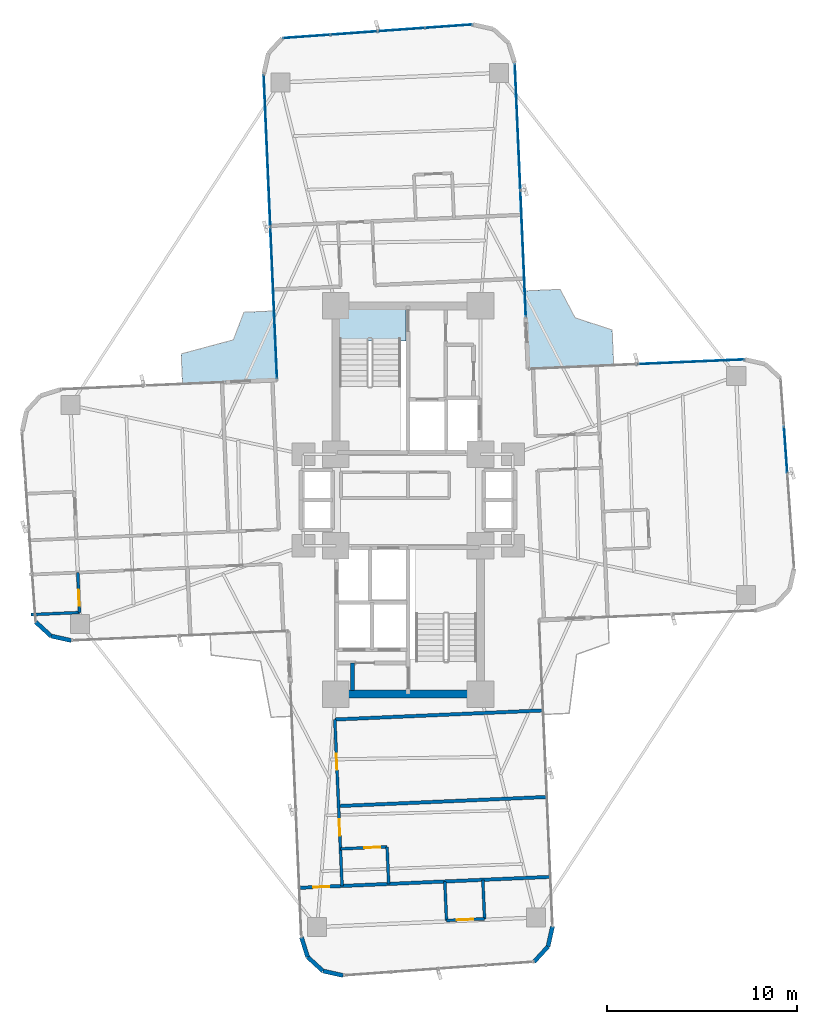
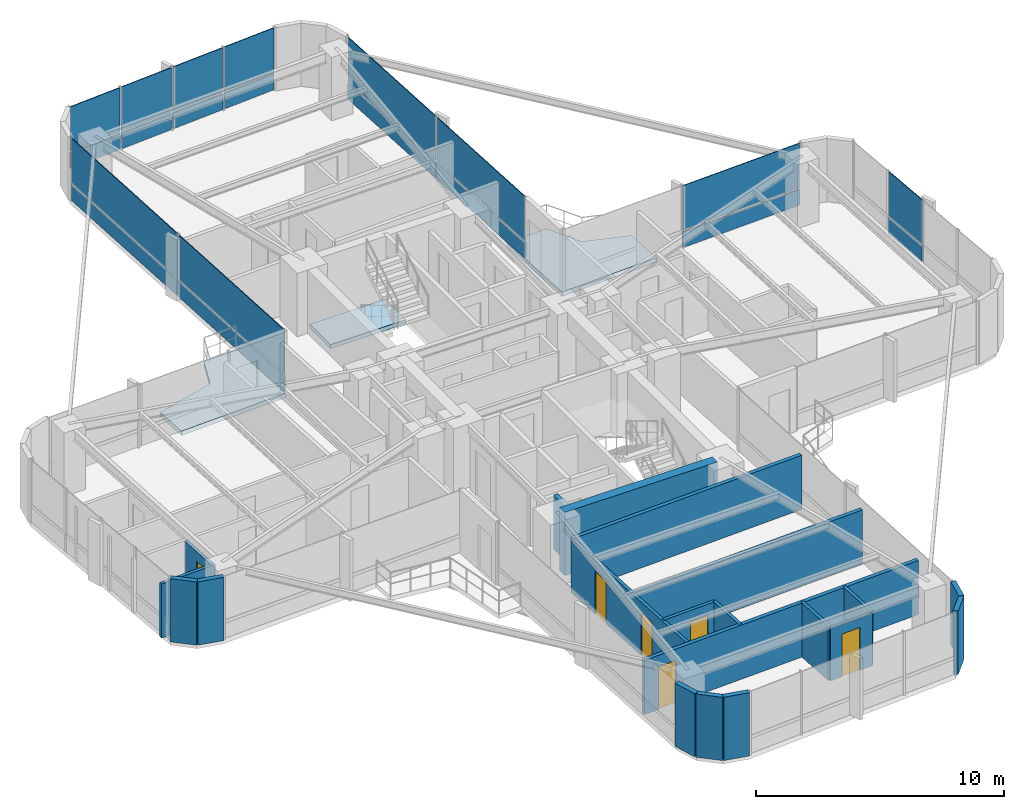
# One storey, part 22 of 26: 20 plates, 20 walls, 6 doors, 3 slabs, 6 openings, 5 elements without a shape of their own.
"""IFC4 building model written with IfcOpenShell, lengths in metres."""

from ifc_helpers import new_model, si_unit, direction, frame, frame_2d, origin, origin_2d, place, context, subcontext, project, spatial, polyline, rectangle, outline, extrude, source, transform, mapped, material, layer, layer_set, type_object, element, fill, aggregate, save


model = new_model("IFC4")

# Units and contexts
model_context = context("Model", 3, precision=1e-05, world=origin(), true_north=direction((0.0, 1.0)))
body_context = subcontext(model_context, "Body", "Model", "MODEL_VIEW")
ifc_project = project(units=[si_unit("LENGTHUNIT", "METRE"), si_unit("AREAUNIT", "SQUARE_METRE"), si_unit("VOLUMEUNIT", "CUBIC_METRE"), si_unit("PLANEANGLEUNIT", "RADIAN"), si_unit("MASSUNIT", "GRAM", prefix="KILO")], contexts=[model_context])

# Site, building, storey
site_placement = place(None, origin())
site = spatial("IfcSite", under=ifc_project, at=site_placement, CompositionType="ELEMENT")
building_placement = place(site_placement, origin())
building = spatial("IfcBuilding", under=site, at=building_placement, Name="Sahyath Konkavel Grand Hotel", CompositionType="ELEMENT")
storey_placement = place(building_placement, frame((0.0, 0.0, 86.85009765625)))
storey = spatial("IfcBuildingStorey", under=building, at=storey_placement, Name="L23", CompositionType="ELEMENT", Elevation=86.85009765625)

# Slabs
ifc_material_1 = material(Name="Concrete C40/50", Category="concrete")
ifc_layer_1 = layer(ifc_material_1, 0.219970703125)
ifc_layer_set_1 = layer_set([ifc_layer_1], Name="Concrete C40/50")
slab_type_1 = type_object("IfcSlabType", Name="SLB-BALCONY-220", PredefinedType="FLOOR", material=ifc_layer_set_1)
slab_1_placement = place(storey_placement, frame((0.0, 0.0, -0.22021484375)))
element("IfcSlab", 1, at=slab_1_placement, inside=storey, type_object=slab_type_1, Name="L23 Winter-Garden Balcony NE", PredefinedType="FLOOR", context=body_context, shape_type="SweptSolid", body=[
    extrude(outline(polyline([(6.305908203125, 6.881591796875), (10.796630859375, 7.07763671875), (10.715576171875, 8.93212890625), (8.768798828125, 9.569580078125), (7.981201171875, 11.063720703125), (6.126708984375, 10.982666015625), (6.305908203125, 6.881591796875)])), origin(), (0.0, 0.0, 1.0), 0.22021484375),
])
slab_2_placement = place(storey_placement, frame((0.0, 0.0, -0.22021484375)))
element("IfcSlab", 2, at=slab_2_placement, inside=storey, type_object=slab_type_1, Name="L23 Winter-Garden Balcony NW", PredefinedType="FLOOR", context=body_context, shape_type="SweptSolid", body=[
    extrude(outline(polyline([(-6.881591796875, 6.305908203125), (-7.039794921875, 9.930419921875), (-8.62451171875, 9.861083984375), (-9.1787109375, 8.41064453125), (-11.918212890625, 7.673583984375), (-11.848876953125, 6.089111328125), (-6.881591796875, 6.305908203125)])), origin(), (0.0, 0.0, 1.0), 0.22021484375),
])
ifc_layer_2 = layer(ifc_material_1, 0.199951171875)
ifc_layer_set_2 = layer_set([ifc_layer_2], Name="Concrete C40/50")
slab_type_2 = type_object("IfcSlabType", Name="SLB-STAIR-LND", PredefinedType="LANDING", material=ifc_layer_set_2)
slab_3_placement = place(storey_placement, frame((0.0, 0.0, -0.2001953125)))
element("IfcSlab", 3, at=slab_3_placement, inside=storey, type_object=slab_type_2, Name="L23 Stair ST-1 Floor Landing Slab", PredefinedType="LANDING", context=body_context, shape_type="SweptSolid", body=[
    extrude(outline(polyline([(-3.6201171875, 8.35009765625), (-0.10009765625, 8.35009765625), (-0.10009765625, 10.02001953125), (-3.6201171875, 10.02001953125), (-3.6201171875, 8.35009765625)])), origin(), (0.0, 0.0, 1.0), 0.2001953125),
])

# Curtain wall, plate
ifc_material_2 = material(Name="Anodised Bronze Aluminium & Low-E Glazing", Category="aluminium")
curtain_wall_type = type_object("IfcCurtainWallType", Name="CW-ZONE2", PredefinedType="NOTDEFINED", material=ifc_material_2)
curtain_wall_1_placement = place(storey_placement, origin())
curtain_wall_1 = element("IfcCurtainWall", 4, at=curtain_wall_1_placement, inside=storey, type_object=curtain_wall_type, Name="L23 Unitised Curtain Wall F4", PredefinedType="NOTDEFINED")
ifc_material_3 = material(Name="Warm Buff Sandstone Cladding", Category="masonry")
ifc_layer_3 = layer(ifc_material_3, 0.074951171875)
ifc_layer_set_3 = layer_set([ifc_layer_3], Name="Warm Buff Sandstone Cladding")
plate_type_1 = type_object("IfcPlateType", Name="PNL-SPANDREL-STONE", PredefinedType="SHEET", material=ifc_layer_set_3)
shared_shape_1 = source(origin(), body_context, "Body", "SweptSolid", [
    extrude(rectangle(XDim=2.41357421875, YDim=0.074951171875, at=origin_2d()), origin(), (0.0, 0.0, 1.0), 0.77001953125),
])
plate_1_placement = place(storey_placement, frame((19.828369140625, 2.638671875, 0.039794921875), z_axis=(0.0, 0.0, 1.0), x_axis=(-0.071567078661, 0.997435789037, 0.0)))
plate_1 = element("IfcPlate", 5, at=plate_1_placement, type_object=plate_type_1, Name="L23 Sandstone Relief Spandrel Panel F4-2", PredefinedType="SHEET", context=body_context, shape_type="MappedRepresentation", body=[
    mapped(shared_shape_1, transform((0.0, 0.0, 0.0), scale=1.0)),
])

# Curtain wall, plates
curtain_wall_2_placement = place(storey_placement, origin())
curtain_wall_2 = element("IfcCurtainWall", 6, at=curtain_wall_2_placement, inside=storey, type_object=curtain_wall_type, Name="L23 Unitised Curtain Wall F12", PredefinedType="NOTDEFINED")
plate_2_placement = place(storey_placement, frame((2.130615234375, 24.880615234375, 0.039794921875), z_axis=(0.0, 0.0, 1.0), x_axis=(-0.997435789037, -0.071567078661, 0.0)))
plate_2 = element("IfcPlate", 7, at=plate_2_placement, type_object=plate_type_1, Name="L23 Sandstone Relief Spandrel Panel F12-0", PredefinedType="SHEET", context=body_context, shape_type="MappedRepresentation", body=[
    mapped(shared_shape_1, transform((0.0, 0.0, 0.0), scale=1.0)),
])
plate_3_placement = place(storey_placement, frame((-0.356689453125, 24.7021484375, 0.039794921875), z_axis=(0.0, 0.0, 1.0), x_axis=(-0.997435789037, -0.071567078661, 0.0)))
plate_3 = element("IfcPlate", 8, at=plate_3_placement, type_object=plate_type_1, Name="L23 Sandstone Relief Spandrel Panel F12-1", PredefinedType="SHEET", context=body_context, shape_type="MappedRepresentation", body=[
    mapped(shared_shape_1, transform((0.0, 0.0, 0.0), scale=1.0)),
])
plate_4_placement = place(storey_placement, frame((-2.84375, 24.523681640625, 0.039794921875), z_axis=(0.0, 0.0, 1.0), x_axis=(-0.997435789037, -0.071567078661, 0.0)))
plate_4 = element("IfcPlate", 9, at=plate_4_placement, type_object=plate_type_1, Name="L23 Sandstone Relief Spandrel Panel F12-2", PredefinedType="SHEET", context=body_context, shape_type="MappedRepresentation", body=[
    mapped(shared_shape_1, transform((0.0, 0.0, 0.0), scale=1.0)),
])
plate_5_placement = place(storey_placement, frame((-5.330810546875, 24.34521484375, 0.039794921875), z_axis=(0.0, 0.0, 1.0), x_axis=(-0.997435789037, -0.071567078661, 0.0)))
plate_5 = element("IfcPlate", 10, at=plate_5_placement, type_object=plate_type_1, Name="L23 Sandstone Relief Spandrel Panel F12-3", PredefinedType="SHEET", context=body_context, shape_type="MappedRepresentation", body=[
    mapped(shared_shape_1, transform((0.0, 0.0, 0.0), scale=1.0)),
])

# Curtain wall, plate
curtain_wall_3_placement = place(storey_placement, origin())
curtain_wall_3 = element("IfcCurtainWall", 11, at=curtain_wall_3_placement, inside=storey, type_object=curtain_wall_type, Name="L23 Unitised Curtain Wall F7", PredefinedType="NOTDEFINED")
shared_shape_2 = source(origin(), body_context, "Body", "SweptSolid", [
    extrude(rectangle(XDim=5.580078125, YDim=0.074951171875, at=origin_2d()), origin(), (0.0, 0.0, 1.0), 0.77001953125),
])
plate_6_placement = place(storey_placement, frame((14.82763671875, 7.25390625, 0.039794921875), z_axis=(0.0, 0.0, 1.0), x_axis=(-0.999048221582, -0.043619387365, 0.0)))
plate_6 = element("IfcPlate", 12, at=plate_6_placement, type_object=plate_type_1, Name="L23 Sandstone Relief Spandrel Panel F7-0", PredefinedType="SHEET", context=body_context, shape_type="MappedRepresentation", body=[
    mapped(shared_shape_2, transform((0.0, 0.0, 0.0), scale=1.0)),
])

# Curtain wall, plates
curtain_wall_4_placement = place(storey_placement, origin())
curtain_wall_4 = element("IfcCurtainWall", 13, at=curtain_wall_4_placement, inside=storey, type_object=curtain_wall_type, Name="L23 Unitised Curtain Wall F8", PredefinedType="NOTDEFINED")
shared_shape_3 = source(origin(), body_context, "Body", "SweptSolid", [
    extrude(rectangle(XDim=6.580078125, YDim=0.074951171875, at=origin_2d()), origin(), (0.0, 0.0, 1.0), 0.77001953125),
])
plate_7_placement = place(storey_placement, frame((6.041015625, 12.94580078125, 0.039794921875), z_axis=(0.0, 0.0, 1.0), x_axis=(-0.043619387365, 0.999048221582, 0.0)))
plate_7 = element("IfcPlate", 14, at=plate_7_placement, type_object=plate_type_1, Name="L23 Sandstone Relief Spandrel Panel F8-0", PredefinedType="SHEET", context=body_context, shape_type="MappedRepresentation", body=[
    mapped(shared_shape_3, transform((0.0, 0.0, 0.0), scale=1.0)),
])
plate_8_placement = place(storey_placement, frame((5.75048828125, 19.599609375, 0.039794921875), z_axis=(0.0, 0.0, 1.0), x_axis=(-0.043619387365, 0.999048221582, 0.0)))
plate_8 = element("IfcPlate", 15, at=plate_8_placement, type_object=plate_type_1, Name="L23 Sandstone Relief Spandrel Panel F8-1", PredefinedType="SHEET", context=body_context, shape_type="MappedRepresentation", body=[
    mapped(shared_shape_3, transform((0.0, 0.0, 0.0), scale=1.0)),
])

curtain_wall_5_placement = place(storey_placement, origin())
curtain_wall_5 = element("IfcCurtainWall", 16, at=curtain_wall_5_placement, inside=storey, type_object=curtain_wall_type, Name="L23 Unitised Curtain Wall F15", PredefinedType="NOTDEFINED")
shared_shape_4 = source(origin(), body_context, "Body", "SweptSolid", [
    extrude(rectangle(XDim=7.929931640625, YDim=0.074951171875, at=origin_2d()), origin(), (0.0, 0.0, 1.0), 0.77001953125),
])
plate_9_placement = place(storey_placement, frame((-7.407470703125, 18.349365234375, 0.039794921875), z_axis=(0.0, 0.0, 1.0), x_axis=(0.043619387365, -0.999048221582, 0.0)))
plate_9 = element("IfcPlate", 17, at=plate_9_placement, type_object=plate_type_1, Name="L23 Sandstone Relief Spandrel Panel F15-0", PredefinedType="SHEET", context=body_context, shape_type="MappedRepresentation", body=[
    mapped(shared_shape_4, transform((0.0, 0.0, 0.0), scale=1.0)),
])
plate_10_placement = place(storey_placement, frame((-7.05810546875, 10.346923828125, 0.039794921875), z_axis=(0.0, 0.0, 1.0), x_axis=(0.043619387365, -0.999048221582, 0.0)))
plate_10 = element("IfcPlate", 18, at=plate_10_placement, type_object=plate_type_1, Name="L23 Sandstone Relief Spandrel Panel F15-1", PredefinedType="SHEET", context=body_context, shape_type="MappedRepresentation", body=[
    mapped(shared_shape_4, transform((0.0, 0.0, 0.0), scale=1.0)),
])

# Plate
ifc_material_4 = material(Name="Low-E Solar Control Double Glazing", Category="glass")
ifc_layer_4 = layer(ifc_material_4, 0.035888671875)
ifc_layer_set_4 = layer_set([ifc_layer_4], Name="Low-E Solar Control Double Glazing")
plate_type_2 = type_object("IfcPlateType", Name="PNL-VISION-LOWE", PredefinedType="CURTAIN_PANEL", material=ifc_layer_set_4)
shared_shape_5 = source(origin(), body_context, "Body", "SweptSolid", [
    extrude(rectangle(XDim=2.41357421875, YDim=0.035888671875, at=origin_2d()), origin(), (0.0, 0.0, 1.0), 2.179931640625),
])
plate_11_placement = place(storey_placement, frame((19.828369140625, 2.638671875, 0.89013671875), z_axis=(0.0, 0.0, 1.0), x_axis=(-0.071567078661, 0.997435789037, 0.0)))
plate_11 = element("IfcPlate", 19, at=plate_11_placement, type_object=plate_type_2, Name="L23 Low-E Vision Glazing Panel F4-2", PredefinedType="CURTAIN_PANEL", context=body_context, shape_type="MappedRepresentation", body=[
    mapped(shared_shape_5, transform((0.0, 0.0, 0.0), scale=1.0)),
])

aggregate(curtain_wall_1, [plate_1, plate_11])

plate_12_placement = place(storey_placement, frame((2.130615234375, 24.880615234375, 0.89013671875), z_axis=(0.0, 0.0, 1.0), x_axis=(-0.997435789037, -0.071567078661, 0.0)))
plate_12 = element("IfcPlate", 20, at=plate_12_placement, type_object=plate_type_2, Name="L23 Low-E Vision Glazing Panel F12-0", PredefinedType="CURTAIN_PANEL", context=body_context, shape_type="MappedRepresentation", body=[
    mapped(shared_shape_5, transform((0.0, 0.0, 0.0), scale=1.0)),
])

plate_13_placement = place(storey_placement, frame((-0.356689453125, 24.7021484375, 0.89013671875), z_axis=(0.0, 0.0, 1.0), x_axis=(-0.997435789037, -0.071567078661, 0.0)))
plate_13 = element("IfcPlate", 21, at=plate_13_placement, type_object=plate_type_2, Name="L23 Low-E Vision Glazing Panel F12-1", PredefinedType="CURTAIN_PANEL", context=body_context, shape_type="MappedRepresentation", body=[
    mapped(shared_shape_5, transform((0.0, 0.0, 0.0), scale=1.0)),
])

plate_14_placement = place(storey_placement, frame((-2.84375, 24.523681640625, 0.89013671875), z_axis=(0.0, 0.0, 1.0), x_axis=(-0.997435789037, -0.071567078661, 0.0)))
plate_14 = element("IfcPlate", 22, at=plate_14_placement, type_object=plate_type_2, Name="L23 Low-E Vision Glazing Panel F12-2", PredefinedType="CURTAIN_PANEL", context=body_context, shape_type="MappedRepresentation", body=[
    mapped(shared_shape_5, transform((0.0, 0.0, 0.0), scale=1.0)),
])

plate_15_placement = place(storey_placement, frame((-5.330810546875, 24.34521484375, 0.89013671875), z_axis=(0.0, 0.0, 1.0), x_axis=(-0.997435789037, -0.071567078661, 0.0)))
plate_15 = element("IfcPlate", 23, at=plate_15_placement, type_object=plate_type_2, Name="L23 Low-E Vision Glazing Panel F12-3", PredefinedType="CURTAIN_PANEL", context=body_context, shape_type="MappedRepresentation", body=[
    mapped(shared_shape_5, transform((0.0, 0.0, 0.0), scale=1.0)),
])

aggregate(curtain_wall_2, [plate_2, plate_12, plate_3, plate_13, plate_4, plate_14, plate_5, plate_15])

shared_shape_6 = source(origin(), body_context, "Body", "SweptSolid", [
    extrude(rectangle(XDim=5.580078125, YDim=0.035888671875, at=origin_2d()), origin(), (0.0, 0.0, 1.0), 2.179931640625),
])
plate_16_placement = place(storey_placement, frame((14.82763671875, 7.25390625, 0.89013671875), z_axis=(0.0, 0.0, 1.0), x_axis=(-0.999048221582, -0.043619387365, 0.0)))
plate_16 = element("IfcPlate", 24, at=plate_16_placement, type_object=plate_type_2, Name="L23 Low-E Vision Glazing Panel F7-0", PredefinedType="CURTAIN_PANEL", context=body_context, shape_type="MappedRepresentation", body=[
    mapped(shared_shape_6, transform((0.0, 0.0, 0.0), scale=1.0)),
])

aggregate(curtain_wall_3, [plate_6, plate_16])

shared_shape_7 = source(origin(), body_context, "Body", "SweptSolid", [
    extrude(rectangle(XDim=6.580078125, YDim=0.035888671875, at=origin_2d()), origin(), (0.0, 0.0, 1.0), 2.179931640625),
])
plate_17_placement = place(storey_placement, frame((6.041015625, 12.94580078125, 0.89013671875), z_axis=(0.0, 0.0, 1.0), x_axis=(-0.043619387365, 0.999048221582, 0.0)))
plate_17 = element("IfcPlate", 25, at=plate_17_placement, type_object=plate_type_2, Name="L23 Low-E Vision Glazing Panel F8-0", PredefinedType="CURTAIN_PANEL", context=body_context, shape_type="MappedRepresentation", body=[
    mapped(shared_shape_7, transform((0.0, 0.0, 0.0), scale=1.0)),
])

plate_18_placement = place(storey_placement, frame((5.75048828125, 19.599609375, 0.89013671875), z_axis=(0.0, 0.0, 1.0), x_axis=(-0.043619387365, 0.999048221582, 0.0)))
plate_18 = element("IfcPlate", 26, at=plate_18_placement, type_object=plate_type_2, Name="L23 Low-E Vision Glazing Panel F8-1", PredefinedType="CURTAIN_PANEL", context=body_context, shape_type="MappedRepresentation", body=[
    mapped(shared_shape_7, transform((0.0, 0.0, 0.0), scale=1.0)),
])

aggregate(curtain_wall_4, [plate_7, plate_17, plate_8, plate_18])

shared_shape_8 = source(origin(), body_context, "Body", "SweptSolid", [
    extrude(rectangle(XDim=7.929931640625, YDim=0.035888671875, at=origin_2d()), origin(), (0.0, 0.0, 1.0), 2.179931640625),
])
plate_19_placement = place(storey_placement, frame((-7.407470703125, 18.349365234375, 0.89013671875), z_axis=(0.0, 0.0, 1.0), x_axis=(0.043619387365, -0.999048221582, 0.0)))
plate_19 = element("IfcPlate", 27, at=plate_19_placement, type_object=plate_type_2, Name="L23 Low-E Vision Glazing Panel F15-0", PredefinedType="CURTAIN_PANEL", context=body_context, shape_type="MappedRepresentation", body=[
    mapped(shared_shape_8, transform((0.0, 0.0, 0.0), scale=1.0)),
])

plate_20_placement = place(storey_placement, frame((-7.05810546875, 10.346923828125, 0.89013671875), z_axis=(0.0, 0.0, 1.0), x_axis=(0.043619387365, -0.999048221582, 0.0)))
plate_20 = element("IfcPlate", 28, at=plate_20_placement, type_object=plate_type_2, Name="L23 Low-E Vision Glazing Panel F15-1", PredefinedType="CURTAIN_PANEL", context=body_context, shape_type="MappedRepresentation", body=[
    mapped(shared_shape_8, transform((0.0, 0.0, 0.0), scale=1.0)),
])

aggregate(curtain_wall_5, [plate_9, plate_19, plate_10, plate_20])

# Walls
ifc_material_5 = material(Name="Concrete C50/60", Category="concrete")
ifc_layer_5 = layer(ifc_material_5, 0.419921875)
ifc_layer_set_5 = layer_set([ifc_layer_5], Name="Concrete C50/60")
wall_type_1 = type_object("IfcWallType", Name="CWALL-420", PredefinedType="SHEAR", material=ifc_layer_set_5)
wall_1_placement = place(storey_placement, frame((-3.550048828125, -10.199951171875, 0.0), z_axis=(0.0, 0.0, 1.0), x_axis=(1.0, 0.0, 0.0)))
element("IfcWall", 29, at=wall_1_placement, inside=storey, type_object=wall_type_1, Name="L23 South Core Shear Wall S", PredefinedType="SHEAR", context=body_context, shape_type="SweptSolid", body=[
    extrude(rectangle(XDim=7.10009765625, YDim=0.419921875, at=frame_2d((3.550048828125, 0.0))), origin(), (0.0, 0.0, 1.0), 3.10986328125),
])
ifc_material_6 = material(Name="Warm Buff Sandstone Insulated Concrete C40/50", Category="masonry")
ifc_layer_6 = layer(ifc_material_6, 0.219970703125)
ifc_layer_set_6 = layer_set([ifc_layer_6], Name="Warm Buff Sandstone Insulated Concrete C40/50")
wall_type_2 = type_object("IfcWallType", Name="WLL-BALC-THRESH", PredefinedType="STANDARD", material=ifc_layer_set_6)
wall_2_placement = place(storey_placement, frame((-19.5576171875, -6.4091796875, 0.0), z_axis=(0.0, 0.0, 1.0), x_axis=(0.737210081318, -0.675663596772, 0.0)))
element("IfcWall", 30, at=wall_2_placement, inside=storey, type_object=wall_type_2, Name="L23 Rounded Corner Sandstone Pier 21", PredefinedType="STANDARD", context=body_context, shape_type="SweptSolid", body=[
    extrude(rectangle(XDim=1.0869140625, YDim=0.219970703125, at=frame_2d((0.54345703125, 0.0))), origin(), (0.0, 0.0, 1.0), 3.10986328125),
])
wall_3_placement = place(storey_placement, frame((-18.75634765625, -7.1435546875, 0.0), z_axis=(0.0, 0.0, 1.0), x_axis=(0.976282085775, -0.216502399514, 0.0)))
element("IfcWall", 31, at=wall_3_placement, inside=storey, type_object=wall_type_2, Name="L23 Rounded Corner Sandstone Pier 22", PredefinedType="STANDARD", context=body_context, shape_type="SweptSolid", body=[
    extrude(rectangle(XDim=1.087158203125, YDim=0.219970703125, at=frame_2d((0.54345703125, 0.0))), origin(), (0.0, 0.0, 1.0), 3.10986328125),
])
wall_4_placement = place(storey_placement, frame((-5.603515625, -22.96630859375, 0.0), z_axis=(0.0, 0.0, 1.0), x_axis=(0.300755105707, -0.953701403161, 0.0)))
element("IfcWall", 32, at=wall_4_placement, inside=storey, type_object=wall_type_2, Name="L23 Rounded Corner Sandstone Pier 25", PredefinedType="STANDARD", context=body_context, shape_type="SweptSolid", body=[
    extrude(rectangle(XDim=1.0869140625, YDim=0.219970703125, at=frame_2d((0.54345703125, 0.0))), origin(), (0.0, 0.0, 1.0), 3.10986328125),
])
wall_5_placement = place(storey_placement, frame((-5.276611328125, -24.0029296875, 0.0), z_axis=(0.0, 0.0, 1.0), x_axis=(0.737312600672, -0.675551721847, 0.0)))
element("IfcWall", 33, at=wall_5_placement, inside=storey, type_object=wall_type_2, Name="L23 Rounded Corner Sandstone Pier 26", PredefinedType="STANDARD", context=body_context, shape_type="SweptSolid", body=[
    extrude(rectangle(XDim=1.087158203125, YDim=0.219970703125, at=frame_2d((0.54345703125, 0.0))), origin(), (0.0, 0.0, 1.0), 3.10986328125),
])
for number, where, z_axis, x_axis, name in (
    (34, (-4.47509765625, -24.7373046875, 0.0), (0.0, 0.0, 1.0), (0.976271555154, -0.216549880158, 0.0), "L23 Rounded Corner Sandstone Pier 27"),
    (35, (6.6142578125, -24.253173828125, 0.0), (0.0, 0.0, 1.0), (0.675663596772, 0.737210081318, 0.0), "L23 Rounded Corner Sandstone Pier 29"),
):
    element("IfcWall", number, at=place(storey_placement, frame(where, z_axis=z_axis, x_axis=x_axis)), inside=storey, type_object=wall_type_2, Name=name, PredefinedType="STANDARD", context=body_context, shape_type="SweptSolid", body=[
        extrude(rectangle(XDim=1.0869140625, YDim=0.219970703125, at=frame_2d((0.54345703125, 0.0))), origin(), (0.0, 0.0, 1.0), 3.10986328125),
    ])
wall_6_placement = place(storey_placement, frame((7.3486328125, -23.451904296875, 0.0), z_axis=(0.0, 0.0, 1.0), x_axis=(0.216454939174, 0.976292609471, 0.0)))
element("IfcWall", 36, at=wall_6_placement, inside=storey, type_object=wall_type_2, Name="L23 Rounded Corner Sandstone Pier 30", PredefinedType="STANDARD", context=body_context, shape_type="SweptSolid", body=[
    extrude(rectangle(XDim=1.08740234375, YDim=0.219970703125, at=frame_2d((0.543701171875, 0.0))), origin(), (0.0, 0.0, 1.0), 3.10986328125),
])
ifc_layer_7 = layer(ifc_material_1, 0.199951171875)
ifc_layer_set_7 = layer_set([ifc_layer_7], Name="Concrete C40/50")
wall_type_3 = type_object("IfcWallType", Name="WLL-CORE-200", PredefinedType="SOLIDWALL", material=ifc_layer_set_7)
wall_7_placement = place(storey_placement, frame((-2.919921875, -10.0, 0.0), z_axis=(0.0, 0.0, 1.0), x_axis=(0.0, 1.0, 0.0)))
element("IfcWall", 37, at=wall_7_placement, inside=storey, type_object=wall_type_3, Name="L23 Partition SFF-W2", PredefinedType="SOLIDWALL", context=body_context, shape_type="SweptSolid", body=[
    extrude(rectangle(XDim=1.43994140625, YDim=0.199951171875, at=frame_2d((0.719970703125, 0.0))), origin(), (0.0, 0.0, 1.0), 2.659912109375),
])
ifc_material_7 = material(Name="Twin-Stud Acoustic Gypsum Plasterboard Partition")
ifc_layer_8 = layer(ifc_material_7, 0.179931640625)
ifc_layer_set_8 = layer_set([ifc_layer_8], Name="Twin-Stud Acoustic Gypsum Plasterboard Partition")
wall_type_4 = type_object("IfcWallType", Name="WLL-DEMISE-180", PredefinedType="PARTITIONING", material=ifc_layer_set_8)
wall_8_placement = place(storey_placement, frame((-3.850830078125, -11.52880859375, 0.0), z_axis=(0.0, 0.0, 1.0), x_axis=(0.999048663393, 0.043609267053, 0.0)))
element("IfcWall", 38, at=wall_8_placement, inside=storey, type_object=wall_type_4, Name="L23 Partition S-G6I", PredefinedType="PARTITIONING", context=body_context, shape_type="SweptSolid", body=[
    extrude(rectangle(XDim=10.89990234375, YDim=0.179931640625, at=frame_2d((5.449951171875, 0.0))), origin(), (0.0, 0.0, 1.0), 2.659912109375),
])
wall_9_placement = place(storey_placement, frame((-3.65234375, -16.07470703125, 0.0), z_axis=(0.0, 0.0, 1.0), x_axis=(0.999047687305, 0.043631622609, 0.0)))
element("IfcWall", 39, at=wall_9_placement, inside=storey, type_object=wall_type_4, Name="L23 Partition S-SSL6-DEM", PredefinedType="PARTITIONING", context=body_context, shape_type="SweptSolid", body=[
    extrude(rectangle(XDim=10.900146484375, YDim=0.179931640625, at=frame_2d((5.4501953125, 0.0))), origin(), (0.0, 0.0, 1.0), 2.659912109375),
])

# Wall, opening, door
wall_10_placement = place(storey_placement, frame((-5.6669921875, -20.36669921875, 0.0), z_axis=(0.0, 0.0, 1.0), x_axis=(0.999047806124, 0.043628901879, 0.0)))
wall_10 = element("IfcWall", 40, at=wall_10_placement, inside=storey, type_object=wall_type_4, Name="L23 Partition S-STIP-END", PredefinedType="PARTITIONING", context=body_context, shape_type="SweptSolid", body=[
    extrude(rectangle(XDim=13.099853515625, YDim=0.179931640625, at=frame_2d((6.5498046875, 0.0))), origin(), (0.0, 0.0, 1.0), 2.659912109375),
])
opening_1_placement = place(wall_10_placement, frame((0.675048828125, 0.0, 0.0)))
opening_1 = element("IfcOpeningElement", 41, at=opening_1_placement, cuts=wall_10, Name="Opening D-F06D", PredefinedType="OPENING", context=body_context, shape_type="SweptSolid", body=[
    extrude(rectangle(XDim=0.85009765625, YDim=2.10009765625, at=frame_2d((0.425048828125, 1.050048828125))), frame((0.0, 0.10009765625, 0.0), z_axis=(0.0, -1.0, 0.0), x_axis=(1.0, 0.0, 0.0)), (0.0, 0.0, 1.0), 0.199951171875),
])
ifc_material_8 = material(Name="Fire-Rated Shaft Access Door")
door_type_1 = type_object("IfcDoorType", Name="DR-FD60-850", OperationType="NOTDEFINED", PredefinedType="DOOR", material=ifc_material_8)
shared_shape_9 = source(origin(), body_context, "Body", "SweptSolid", [
    extrude(rectangle(XDim=0.85009765625, YDim=0.050048828125, at=origin_2d()), origin(), (0.0, 0.0, 1.0), 2.10009765625),
])
door_1_placement = place(opening_1_placement, frame((0.425048828125, 0.0, 0.0)))
door_1 = element("IfcDoor", 42, at=door_1_placement, inside=storey, type_object=door_type_1, Name="L23 Door S-STIP-ED", OperationType="SINGLE_SWING_LEFT", OverallHeight=2.10009765625, OverallWidth=0.85009765625, PredefinedType="DOOR", context=body_context, shape_type="MappedRepresentation", body=[
    mapped(shared_shape_9, transform((0.0, 0.0, 0.0), scale=1.0)),
])
fill(opening_1, door_1)

ifc_material_9 = material(Name="Fire-Rated Gypsum Plasterboard Partition")
ifc_layer_9 = layer(ifc_material_9, 0.14990234375)
ifc_layer_set_9 = layer_set([ifc_layer_9], Name="Fire-Rated Gypsum Plasterboard Partition")
wall_type_5 = type_object("IfcWallType", Name="WLL-PART-150", PredefinedType="PARTITIONING", material=ifc_layer_set_9)
wall_11_placement = place(storey_placement, frame((-17.350341796875, -3.810302734375, 0.0), z_axis=(0.0, 0.0, 1.0), x_axis=(0.043593612401, -0.999049346608, 0.0)))
wall_11 = element("IfcWall", 43, at=wall_11_placement, inside=storey, type_object=wall_type_5, Name="L23 Partition W-W2L-BS", PredefinedType="PARTITIONING", context=body_context, shape_type="SweptSolid", body=[
    extrude(rectangle(XDim=2.10009765625, YDim=0.14990234375, at=frame_2d((1.050048828125, 0.0))), origin(), (0.0, 0.0, 1.0), 2.579833984375),
])
opening_2_placement = place(wall_11_placement, frame((0.89990234375, 0.0, 0.0)))
opening_2 = element("IfcOpeningElement", 44, at=opening_2_placement, cuts=wall_11, Name="Opening D-BT85", PredefinedType="OPENING", context=body_context, shape_type="SweptSolid", body=[
    extrude(rectangle(XDim=0.85009765625, YDim=2.10009765625, at=frame_2d((0.425048828125, 1.050048828125))), frame((0.0, 0.0849609375, 0.0), z_axis=(0.0, -1.0, 0.0), x_axis=(1.0, 0.0, 0.0)), (0.0, 0.0, 1.0), 0.169921875),
])
ifc_material_10 = material(Name="Moisture-Resistant Teak Bathroom Door")
door_type_2 = type_object("IfcDoorType", Name="DR-BATH-850", OperationType="NOTDEFINED", PredefinedType="DOOR", material=ifc_material_10)
door_2_placement = place(opening_2_placement, frame((0.425048828125, 0.0, 0.0)))
door_2 = element("IfcDoor", 45, at=door_2_placement, inside=storey, type_object=door_type_2, Name="L23 Door W-W2L-BD", OperationType="SINGLE_SWING_RIGHT", OverallHeight=2.10009765625, OverallWidth=0.85009765625, PredefinedType="DOOR", context=body_context, shape_type="MappedRepresentation", body=[
    mapped(shared_shape_9, transform((0.0, 0.0, 0.0), scale=1.0)),
])
fill(opening_2, door_2)

# Wall
wall_12_placement = place(storey_placement, frame((-17.2587890625, -5.908447265625, 0.0), z_axis=(0.0, 0.0, 1.0), x_axis=(-0.999046560091, -0.043657425146, 0.0)))
element("IfcWall", 46, at=wall_12_placement, inside=storey, type_object=wall_type_5, Name="L23 Partition W-W2L-BF", PredefinedType="PARTITIONING", context=body_context, shape_type="SweptSolid", body=[
    extrude(rectangle(XDim=2.550048828125, YDim=0.14990234375, at=frame_2d((1.27490234375, 0.0))), origin(), (0.0, 0.0, 1.0), 2.659912109375),
])

# Wall, openings, doors
wall_13_placement = place(storey_placement, frame((-3.850830078125, -11.52880859375, 0.0), z_axis=(0.0, 0.0, 1.0), x_axis=(0.043638220751, -0.999047399121, 0.0)))
wall_13 = element("IfcWall", 47, at=wall_13_placement, inside=storey, type_object=wall_type_5, Name="L23 Partition S-G6W", PredefinedType="PARTITIONING", context=body_context, shape_type="SweptSolid", body=[
    extrude(rectangle(XDim=8.75, YDim=0.14990234375, at=frame_2d((4.375, 0.0))), origin(), (0.0, 0.0, 1.0), 2.6298828125),
])
opening_3_placement = place(wall_13_placement, frame((1.800048828125, 0.0, 0.0)))
opening_3 = element("IfcOpeningElement", 48, at=opening_3_placement, cuts=wall_13, Name="Opening D-F06D", PredefinedType="OPENING", context=body_context, shape_type="SweptSolid", body=[
    extrude(rectangle(XDim=0.85009765625, YDim=2.10009765625, at=frame_2d((0.425048828125, 1.050048828125))), frame((0.0, 0.0849609375, 0.0), z_axis=(0.0, -1.0, 0.0), x_axis=(1.0, 0.0, 0.0)), (0.0, 0.0, 1.0), 0.169921875),
])
opening_4_placement = place(wall_13_placement, frame((5.25, 0.0, 0.0)))
opening_4 = element("IfcOpeningElement", 49, at=opening_4_placement, cuts=wall_13, Name="Opening D-F06D", PredefinedType="OPENING", context=body_context, shape_type="SweptSolid", body=[
    extrude(rectangle(XDim=0.85009765625, YDim=2.10009765625, at=frame_2d((0.425048828125, 1.050048828125))), frame((0.0, 0.0849609375, 0.0), z_axis=(0.0, -1.0, 0.0), x_axis=(1.0, 0.0, 0.0)), (0.0, 0.0, 1.0), 0.169921875),
])
door_3_placement = place(opening_3_placement, frame((0.425048828125, 0.0, 0.0)))
door_3 = element("IfcDoor", 50, at=door_3_placement, inside=storey, type_object=door_type_1, Name="L23 Door S-SSL6-D", OperationType="SINGLE_SWING_LEFT", OverallHeight=2.10009765625, OverallWidth=0.85009765625, PredefinedType="DOOR", context=body_context, shape_type="MappedRepresentation", body=[
    mapped(shared_shape_9, transform((0.0, 0.0, 0.0), scale=1.0)),
])
fill(opening_3, door_3)
door_4_placement = place(opening_4_placement, frame((0.425048828125, 0.0, 0.0)))
door_4 = element("IfcDoor", 51, at=door_4_placement, inside=storey, type_object=door_type_1, Name="L23 Door S-SD6-ED", OperationType="SINGLE_SWING_LEFT", OverallHeight=2.10009765625, OverallWidth=0.85009765625, PredefinedType="DOOR", context=body_context, shape_type="MappedRepresentation", body=[
    mapped(shared_shape_9, transform((0.0, 0.0, 0.0), scale=1.0)),
])
fill(opening_4, door_4)

# Wall, opening, door
wall_14_placement = place(storey_placement, frame((-3.55419921875, -18.322509765625, 0.0), z_axis=(0.0, 0.0, 1.0), x_axis=(0.999047112283, 0.043644787072, 0.0)))
wall_14 = element("IfcWall", 52, at=wall_14_placement, inside=storey, type_object=wall_type_5, Name="L23 Partition S-SD6-BS", PredefinedType="PARTITIONING", context=body_context, shape_type="SweptSolid", body=[
    extrude(rectangle(XDim=2.4501953125, YDim=0.14990234375, at=frame_2d((1.22509765625, 0.0))), origin(), (0.0, 0.0, 1.0), 2.659912109375),
])
opening_5_placement = place(wall_14_placement, frame((1.25, 0.0, 0.0)))
opening_5 = element("IfcOpeningElement", 53, at=opening_5_placement, cuts=wall_14, Name="Opening D-BT85", PredefinedType="OPENING", context=body_context, shape_type="SweptSolid", body=[
    extrude(rectangle(XDim=0.85009765625, YDim=2.10009765625, at=frame_2d((0.425048828125, 1.050048828125))), frame((0.0, 0.0849609375, 0.0), z_axis=(0.0, -1.0, 0.0), x_axis=(1.0, 0.0, 0.0)), (0.0, 0.0, 1.0), 0.169921875),
])
door_5_placement = place(opening_5_placement, frame((0.425048828125, 0.0, 0.0)))
door_5 = element("IfcDoor", 54, at=door_5_placement, inside=storey, type_object=door_type_2, Name="L23 Door S-SD6-BD", OperationType="SINGLE_SWING_RIGHT", OverallHeight=2.10009765625, OverallWidth=0.85009765625, PredefinedType="DOOR", context=body_context, shape_type="MappedRepresentation", body=[
    mapped(shared_shape_9, transform((0.0, 0.0, 0.0), scale=1.0)),
])
fill(opening_5, door_5)

# Walls
wall_15_placement = place(storey_placement, frame((-1.1064453125, -18.215576171875, 0.0), z_axis=(0.0, 0.0, 1.0), x_axis=(0.043567614947, -0.99905048067, 0.0)))
element("IfcWall", 55, at=wall_15_placement, inside=storey, type_object=wall_type_5, Name="L23 Partition S-SD6-BF", PredefinedType="PARTITIONING", context=body_context, shape_type="SweptSolid", body=[
    extrude(rectangle(XDim=1.9501953125, YDim=0.14990234375, at=frame_2d((0.97509765625, 0.0))), origin(), (0.0, 0.0, 1.0), 2.659912109375),
])
wall_16_placement = place(storey_placement, frame((3.923828125, -19.94775390625, 0.0), z_axis=(0.0, 0.0, 1.0), x_axis=(0.043587097972, -0.999049630844, 0.0)))
element("IfcWall", 56, at=wall_16_placement, inside=storey, type_object=wall_type_5, Name="L23 Partition S-STIP-BN", PredefinedType="PARTITIONING", context=body_context, shape_type="SweptSolid", body=[
    extrude(rectangle(XDim=2.050048828125, YDim=0.14990234375, at=frame_2d((1.02490234375, 0.0))), origin(), (0.0, 0.0, 1.0), 2.659912109375),
])
wall_17_placement = place(storey_placement, frame((1.92578125, -20.03515625, 0.0), z_axis=(0.0, 0.0, 1.0), x_axis=(0.043592284462, -0.999049404552, 0.0)))
element("IfcWall", 57, at=wall_17_placement, inside=storey, type_object=wall_type_5, Name="L23 Partition S-STIP-BS", PredefinedType="PARTITIONING", context=body_context, shape_type="SweptSolid", body=[
    extrude(rectangle(XDim=2.0498046875, YDim=0.14990234375, at=frame_2d((1.02490234375, 0.0))), origin(), (0.0, 0.0, 1.0), 2.659912109375),
])

# Wall, opening, door
wall_18_placement = place(storey_placement, frame((2.01513671875, -22.0830078125, 0.0), z_axis=(0.0, 0.0, 1.0), x_axis=(0.999049929275, 0.043580257179, 0.0)))
wall_18 = element("IfcWall", 58, at=wall_18_placement, inside=storey, type_object=wall_type_5, Name="L23 Partition S-STIP-BE", PredefinedType="PARTITIONING", context=body_context, shape_type="SweptSolid", body=[
    extrude(rectangle(XDim=2.0, YDim=0.14990234375, at=frame_2d((1.0, 0.0))), origin(), (0.0, 0.0, 1.0), 2.579833984375),
])
opening_6_placement = place(wall_18_placement, frame((0.550048828125, 0.0, 0.0)))
opening_6 = element("IfcOpeningElement", 59, at=opening_6_placement, cuts=wall_18, Name="Opening D-BT85", PredefinedType="OPENING", context=body_context, shape_type="SweptSolid", body=[
    extrude(rectangle(XDim=0.85009765625, YDim=2.10009765625, at=frame_2d((0.425048828125, 1.050048828125))), frame((0.0, 0.0849609375, 0.0), z_axis=(0.0, -1.0, 0.0), x_axis=(1.0, 0.0, 0.0)), (0.0, 0.0, 1.0), 0.169921875),
])
door_6_placement = place(opening_6_placement, frame((0.425048828125, 0.0, 0.0)))
door_6 = element("IfcDoor", 60, at=door_6_placement, inside=storey, type_object=door_type_2, Name="L23 Door S-STIP-BD", OperationType="SINGLE_SWING_RIGHT", OverallHeight=2.10009765625, OverallWidth=0.85009765625, PredefinedType="DOOR", context=body_context, shape_type="MappedRepresentation", body=[
    mapped(shared_shape_9, transform((0.0, 0.0, 0.0), scale=1.0)),
])
fill(opening_6, door_6)

save(model, "model.ifc")
